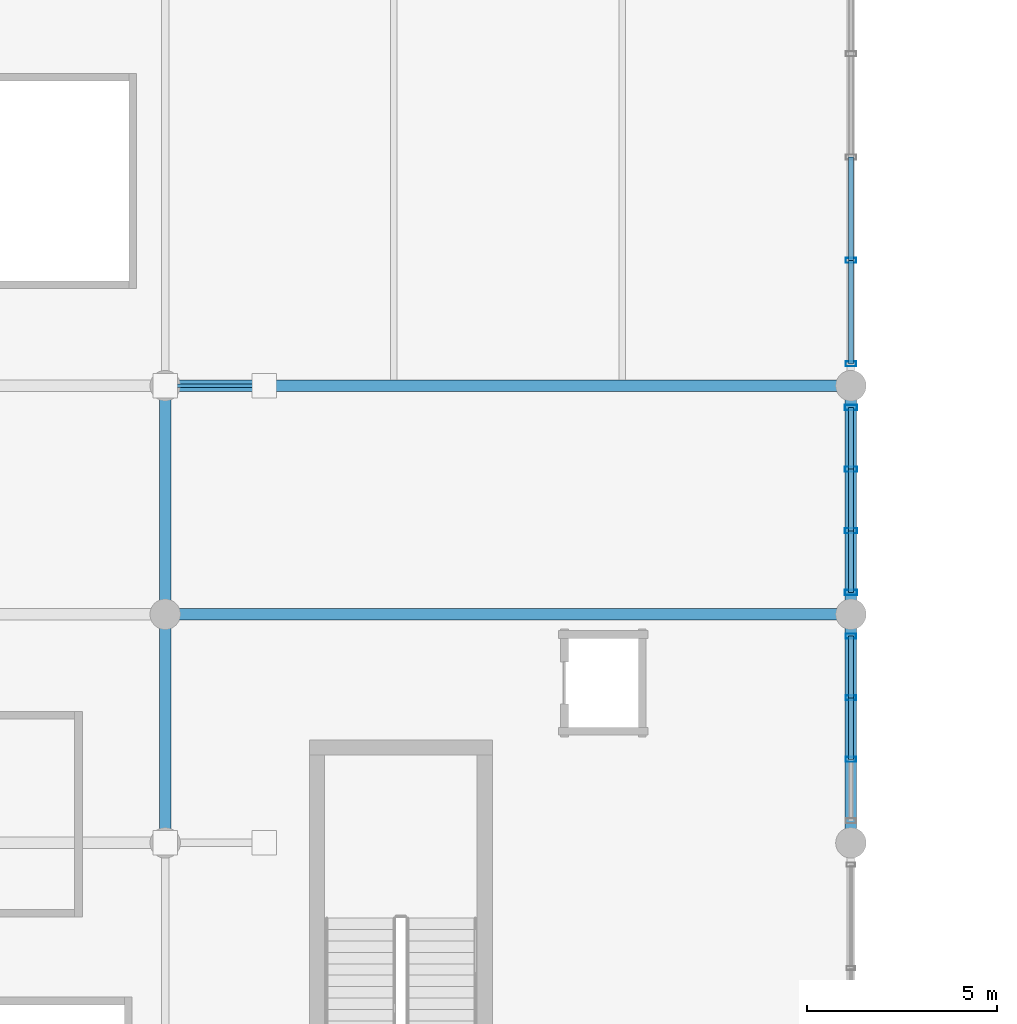
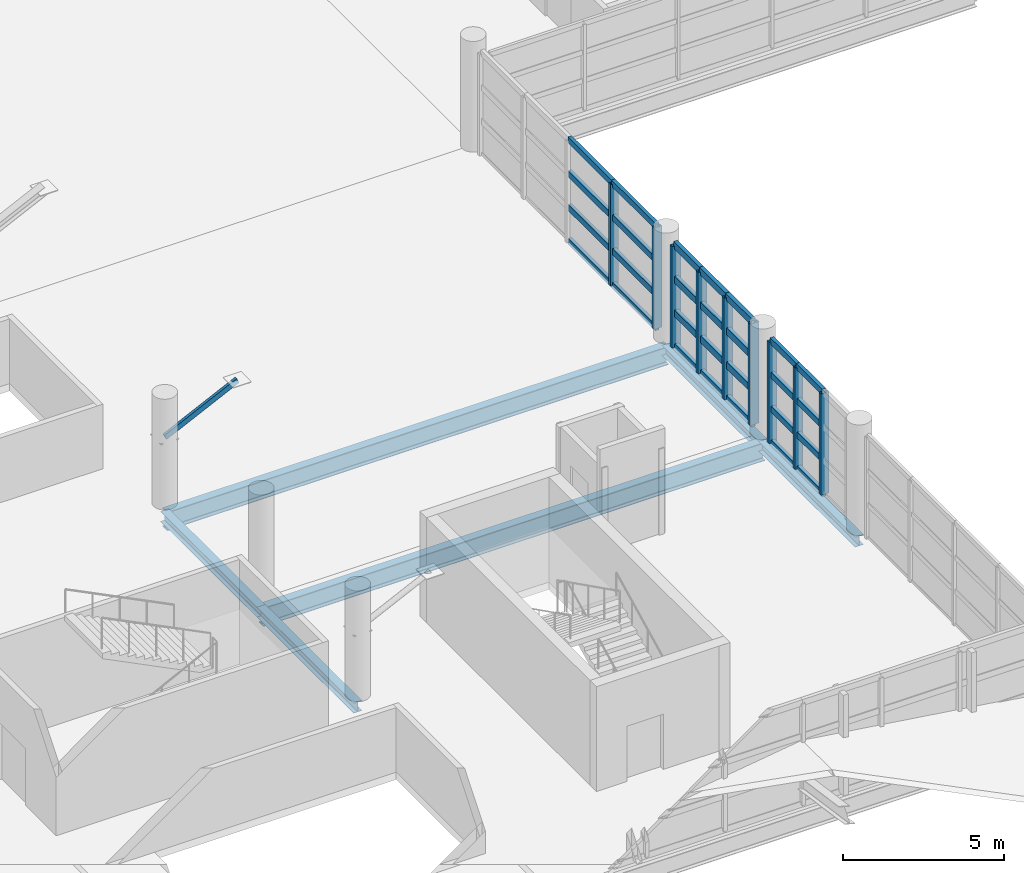
# One storey, part 19 of 136: 38 members, 6 beams, 3 elements without a shape of their own.
"""IFC4 building model written with IfcOpenShell, lengths in metres."""

from ifc_helpers import new_model, si_unit, direction, frame, origin, origin_2d, place, context, subcontext, project, spatial, hollow_rectangle, i_section, extrude, material, material_profile, profile_set, type_object, element, aggregate, save


model = new_model("IFC4")

# Units and contexts
model_context = context("Model", 3, precision=1e-05, world=origin(), true_north=direction((0.0, 1.0)))
body_context = subcontext(model_context, "Body", "Model", "MODEL_VIEW")
ifc_project = project(units=[si_unit("LENGTHUNIT", "METRE"), si_unit("AREAUNIT", "SQUARE_METRE"), si_unit("VOLUMEUNIT", "CUBIC_METRE"), si_unit("PLANEANGLEUNIT", "RADIAN"), si_unit("MASSUNIT", "GRAM", prefix="KILO")], contexts=[model_context])

# Site, building, storey
site_placement = place(None, origin())
site = spatial("IfcSite", under=ifc_project, at=site_placement, CompositionType="ELEMENT")
building_placement = place(site_placement, origin())
building = spatial("IfcBuilding", under=site, at=building_placement, Name="Chuanluo Vaults Station", CompositionType="ELEMENT")
storey_placement = place(building_placement, frame((0.0, 0.0, 6.60009765625)))
storey = spatial("IfcBuildingStorey", under=building, at=storey_placement, Name="L01", CompositionType="ELEMENT", Elevation=6.60009765625)

# Beams
ifc_material_1 = material(Name="Steel Q355C", Category="steel")
ifc_material_profile_1 = material_profile(ifc_material_1, i_section(OverallWidth=0.300048828125, OverallDepth=0.389892578125, WebThickness=0.010009765625, FlangeThickness=0.01611328125, FilletRadius=0.02001953125, at=origin_2d()))
ifc_profile_set_1 = profile_set([ifc_material_profile_1], Name="Steel Q355C")
beam_type_1 = type_object("IfcBeamType", Name="BM-GRD-400", PredefinedType="BEAM", material=ifc_profile_set_1)
for number, where, z_axis, x_axis, name in (
    (1, (72.0, 30.0, -0.47509765625), (0.0, 1.0, 0.0), (-1.0, 0.0, 0.0), "Floor girder BM:GY:L01:0434"),
    (2, (72.0, 36.0, -0.47509765625), (0.0, 1.0, 0.0), (-1.0, 0.0, 0.0), "Floor girder BM:GY:L01:0435"),
    (3, (90.0, 30.0, -0.47509765625), (0.0, 1.0, 0.0), (-1.0, 0.0, 0.0), "Floor girder BM:GY:L01:0441"),
    (4, (90.0, 36.0, -0.47509765625), (0.0, 1.0, 0.0), (-1.0, 0.0, 0.0), "Floor girder BM:GY:L01:0442"),
):
    element("IfcBeam", number, at=place(storey_placement, frame(where, z_axis=z_axis, x_axis=x_axis)), inside=storey, type_object=beam_type_1, Name=name, PredefinedType="BEAM", context=body_context, shape_type="SweptSolid", body=[
        extrude(i_section(OverallWidth=0.300048828125, OverallDepth=0.389892578125, WebThickness=0.010009765625, FlangeThickness=0.01611328125, FilletRadius=0.02001953125, at=origin_2d()), origin(), (0.0, 0.0, 1.0), 6.0),
    ])
ifc_material_2 = material(Name="Steel Q355C", Category="steel")
ifc_material_profile_2 = material_profile(ifc_material_2, i_section(OverallWidth=0.300048828125, OverallDepth=0.699951171875, WebThickness=0.012939453125, FlangeThickness=0.02392578125, FilletRadius=0.02197265625, at=origin_2d()))
ifc_profile_set_2 = profile_set([ifc_material_profile_2], Name="Steel Q355C")
beam_type_2 = type_object("IfcBeamType", Name="BM-GRD-700", PredefinedType="USERDEFINED", material=ifc_profile_set_2)
for number, where, z_axis, x_axis, name in (
    (5, (72.0, 36.0, -0.630126953125), (1.0, 0.0, 0.0), (0.0, 1.0, 0.0), "Floor girder BM:GX:L01:0313"),
    (6, (72.0, 42.0, -0.630126953125), (1.0, 0.0, 0.0), (0.0, 1.0, 0.0), "Floor girder BM:GX:L01:0316"),
):
    element("IfcBeam", number, at=place(storey_placement, frame(where, z_axis=z_axis, x_axis=x_axis)), inside=storey, type_object=beam_type_2, Name=name, ObjectType="GIRDER", PredefinedType="USERDEFINED", context=body_context, shape_type="SweptSolid", body=[
        extrude(i_section(OverallWidth=0.300048828125, OverallDepth=0.699951171875, WebThickness=0.012939453125, FlangeThickness=0.02392578125, FilletRadius=0.02197265625, at=origin_2d()), origin(), (0.0, 0.0, 1.0), 18.0),
    ])

# Curtain wall, members
ifc_material_3 = material(Name="Anodised aluminium 6063-T6", Category="aluminium")
curtain_wall_type_1 = type_object("IfcCurtainWallType", Name="CW-SYS-06", PredefinedType="NOTDEFINED", material=ifc_material_3)
curtain_wall_1_placement = place(storey_placement, origin())
curtain_wall_1 = element("IfcCurtainWall", 7, at=curtain_wall_1_placement, inside=storey, type_object=curtain_wall_type_1, Name="Concourse east curtain wall 30 part 2", PredefinedType="NOTDEFINED")
ifc_material_4 = material(Name="Anodised aluminium 6063-T6", Category="aluminium")
ifc_material_profile_3 = material_profile(ifc_material_4, hollow_rectangle(XDim=0.1298828125, YDim=0.280029296875, WallThickness=0.007080078125, at=origin_2d()))
ifc_profile_set_3 = profile_set([ifc_material_profile_3], Name="Anodised aluminium 6063-T6")
member_type_1 = type_object("IfcMemberType", Name="CWM-180", PredefinedType="MULLION", material=ifc_profile_set_3)
member_1_placement = place(storey_placement, frame((90.0, 35.425048828125, 0.0), z_axis=(0.0, 0.0, 1.0), x_axis=(0.0, -1.0, 0.0)))
member_1 = element("IfcMember", 8, at=member_1_placement, type_object=member_type_1, Name="Concourse east curtain wall 30 part 2 mullion 1", PredefinedType="MULLION", context=body_context, shape_type="SweptSolid", body=[
    extrude(hollow_rectangle(XDim=0.1298828125, YDim=0.280029296875, WallThickness=0.007080078125, at=origin_2d()), origin(), (0.0, 0.0, 1.0), 3.849853515625),
])
member_2_placement = place(storey_placement, frame((90.0, 33.808349609375, 0.0), z_axis=(0.0, 0.0, 1.0), x_axis=(0.0, -1.0, 0.0)))
member_2 = element("IfcMember", 9, at=member_2_placement, type_object=member_type_1, Name="Concourse east curtain wall 30 part 2 mullion 2", PredefinedType="MULLION", context=body_context, shape_type="SweptSolid", body=[
    extrude(hollow_rectangle(XDim=0.1298828125, YDim=0.280029296875, WallThickness=0.007080078125, at=origin_2d()), origin(), (0.0, 0.0, 1.0), 3.849853515625),
])
member_3_placement = place(storey_placement, frame((90.0, 32.191650390625, 0.0), z_axis=(0.0, 0.0, 1.0), x_axis=(0.0, -1.0, 0.0)))
member_3 = element("IfcMember", 10, at=member_3_placement, type_object=member_type_1, Name="Concourse east curtain wall 30 part 2 mullion 3", PredefinedType="MULLION", context=body_context, shape_type="SweptSolid", body=[
    extrude(hollow_rectangle(XDim=0.1298828125, YDim=0.280029296875, WallThickness=0.007080078125, at=origin_2d()), origin(), (0.0, 0.0, 1.0), 3.849853515625),
])

ifc_material_5 = material(Name="Anodised aluminium 6063-T6", Category="aluminium")
curtain_wall_type_2 = type_object("IfcCurtainWallType", Name="CW-SYS-10", PredefinedType="NOTDEFINED", material=ifc_material_5)
curtain_wall_2_placement = place(storey_placement, origin())
curtain_wall_2 = element("IfcCurtainWall", 11, at=curtain_wall_2_placement, inside=storey, type_object=curtain_wall_type_2, Name="Concourse east curtain wall 42", PredefinedType="NOTDEFINED")
member_4_placement = place(storey_placement, frame((90.0, 45.28759765625, 0.0), z_axis=(0.0, 0.0, 1.0), x_axis=(0.0, -1.0, 0.0)))
member_4 = element("IfcMember", 12, at=member_4_placement, type_object=member_type_1, Name="Concourse east curtain wall 42 mullion 4", PredefinedType="MULLION", context=body_context, shape_type="SweptSolid", body=[
    extrude(hollow_rectangle(XDim=0.1298828125, YDim=0.280029296875, WallThickness=0.007080078125, at=origin_2d()), origin(), (0.0, 0.0, 1.0), 3.849853515625),
])
member_5_placement = place(storey_placement, frame((90.0, 42.574951171875, 0.0), z_axis=(0.0, 0.0, 1.0), x_axis=(0.0, -1.0, 0.0)))
member_5 = element("IfcMember", 13, at=member_5_placement, type_object=member_type_1, Name="Concourse east curtain wall 42 mullion 5", PredefinedType="MULLION", context=body_context, shape_type="SweptSolid", body=[
    extrude(hollow_rectangle(XDim=0.1298828125, YDim=0.280029296875, WallThickness=0.007080078125, at=origin_2d()), origin(), (0.0, 0.0, 1.0), 3.849853515625),
])

ifc_material_6 = material(Name="Anodised aluminium 6063-T6", Category="aluminium")
curtain_wall_type_3 = type_object("IfcCurtainWallType", Name="CW-SYS-05", PredefinedType="NOTDEFINED", material=ifc_material_6)
curtain_wall_3_placement = place(storey_placement, origin())
curtain_wall_3 = element("IfcCurtainWall", 14, at=curtain_wall_3_placement, inside=storey, type_object=curtain_wall_type_3, Name="Concourse east curtain wall 30 part 1", PredefinedType="NOTDEFINED")
ifc_material_7 = material(Name="Anodised aluminium 6063-T6", Category="aluminium")
ifc_material_profile_4 = material_profile(ifc_material_7, hollow_rectangle(XDim=0.139892578125, YDim=0.320068359375, WallThickness=0.008056640625, at=origin_2d()))
ifc_profile_set_4 = profile_set([ifc_material_profile_4], Name="Anodised aluminium 6063-T6")
member_type_2 = type_object("IfcMemberType", Name="CWM-220", PredefinedType="MULLION", material=ifc_profile_set_4)
member_6_placement = place(storey_placement, frame((90.0, 41.425048828125, 0.0), z_axis=(0.0, 0.0, 1.0), x_axis=(0.0, -1.0, 0.0)))
member_6 = element("IfcMember", 15, at=member_6_placement, type_object=member_type_2, Name="Concourse east curtain wall 30 part 1 mullion 1", PredefinedType="MULLION", context=body_context, shape_type="SweptSolid", body=[
    extrude(hollow_rectangle(XDim=0.139892578125, YDim=0.320068359375, WallThickness=0.008056640625, at=origin_2d()), origin(), (0.0, 0.0, 1.0), 3.849853515625),
])
member_7_placement = place(storey_placement, frame((90.0, 39.808349609375, 0.0), z_axis=(0.0, 0.0, 1.0), x_axis=(0.0, -1.0, 0.0)))
member_7 = element("IfcMember", 16, at=member_7_placement, type_object=member_type_2, Name="Concourse east curtain wall 30 part 1 mullion 2", PredefinedType="MULLION", context=body_context, shape_type="SweptSolid", body=[
    extrude(hollow_rectangle(XDim=0.139892578125, YDim=0.320068359375, WallThickness=0.008056640625, at=origin_2d()), origin(), (0.0, 0.0, 1.0), 3.849853515625),
])
member_8_placement = place(storey_placement, frame((90.0, 38.191650390625, 0.0), z_axis=(0.0, 0.0, 1.0), x_axis=(0.0, -1.0, 0.0)))
member_8 = element("IfcMember", 17, at=member_8_placement, type_object=member_type_2, Name="Concourse east curtain wall 30 part 1 mullion 3", PredefinedType="MULLION", context=body_context, shape_type="SweptSolid", body=[
    extrude(hollow_rectangle(XDim=0.139892578125, YDim=0.320068359375, WallThickness=0.008056640625, at=origin_2d()), origin(), (0.0, 0.0, 1.0), 3.849853515625),
])
member_9_placement = place(storey_placement, frame((90.0, 36.574951171875, 0.0), z_axis=(0.0, 0.0, 1.0), x_axis=(0.0, -1.0, 0.0)))
member_9 = element("IfcMember", 18, at=member_9_placement, type_object=member_type_2, Name="Concourse east curtain wall 30 part 1 mullion 4", PredefinedType="MULLION", context=body_context, shape_type="SweptSolid", body=[
    extrude(hollow_rectangle(XDim=0.139892578125, YDim=0.320068359375, WallThickness=0.008056640625, at=origin_2d()), origin(), (0.0, 0.0, 1.0), 3.849853515625),
])

# Member
ifc_material_8 = material(Name="Anodised aluminium 6063-T6", Category="aluminium")
ifc_material_profile_5 = material_profile(ifc_material_8, hollow_rectangle(XDim=0.1298828125, YDim=0.22998046875, WallThickness=0.006103515625, at=origin_2d()))
ifc_profile_set_5 = profile_set([ifc_material_profile_5], Name="Anodised aluminium 6063-T6")
member_type_3 = type_object("IfcMemberType", Name="CWT-150", PredefinedType="USERDEFINED", material=ifc_profile_set_5)
member_10_placement = place(storey_placement, frame((90.0, 35.425048828125, 0.0), z_axis=(0.0, -1.0, 0.0), x_axis=(1.0, 0.0, 0.0)))
member_10 = element("IfcMember", 19, at=member_10_placement, type_object=member_type_3, Name="Concourse east curtain wall 30 part 2 transom 1.1", ObjectType="TRANSOM", PredefinedType="USERDEFINED", context=body_context, shape_type="SweptSolid", body=[
    extrude(hollow_rectangle(XDim=0.1298828125, YDim=0.22998046875, WallThickness=0.006103515625, at=origin_2d()), origin(), (0.0, 0.0, 1.0), 1.61669921875),
])

member_11_placement = place(storey_placement, frame((90.0, 35.425048828125, 1.283203125), z_axis=(0.0, -1.0, 0.0), x_axis=(1.0, 0.0, 0.0)))
member_11 = element("IfcMember", 20, at=member_11_placement, type_object=member_type_3, Name="Concourse east curtain wall 30 part 2 transom 1.2", ObjectType="TRANSOM", PredefinedType="USERDEFINED", context=body_context, shape_type="SweptSolid", body=[
    extrude(hollow_rectangle(XDim=0.1298828125, YDim=0.22998046875, WallThickness=0.006103515625, at=origin_2d()), origin(), (0.0, 0.0, 1.0), 1.61669921875),
])

member_12_placement = place(storey_placement, frame((90.0, 35.425048828125, 2.566650390625), z_axis=(0.0, -1.0, 0.0), x_axis=(1.0, 0.0, 0.0)))
member_12 = element("IfcMember", 21, at=member_12_placement, type_object=member_type_3, Name="Concourse east curtain wall 30 part 2 transom 1.3", ObjectType="TRANSOM", PredefinedType="USERDEFINED", context=body_context, shape_type="SweptSolid", body=[
    extrude(hollow_rectangle(XDim=0.1298828125, YDim=0.22998046875, WallThickness=0.006103515625, at=origin_2d()), origin(), (0.0, 0.0, 1.0), 1.61669921875),
])

member_13_placement = place(storey_placement, frame((90.0, 35.425048828125, 3.849853515625), z_axis=(0.0, -1.0, 0.0), x_axis=(1.0, 0.0, 0.0)))
member_13 = element("IfcMember", 22, at=member_13_placement, type_object=member_type_3, Name="Concourse east curtain wall 30 part 2 transom 1.4", ObjectType="TRANSOM", PredefinedType="USERDEFINED", context=body_context, shape_type="SweptSolid", body=[
    extrude(hollow_rectangle(XDim=0.1298828125, YDim=0.22998046875, WallThickness=0.006103515625, at=origin_2d()), origin(), (0.0, 0.0, 1.0), 1.61669921875),
])

member_14_placement = place(storey_placement, frame((90.0, 33.808349609375, 0.0), z_axis=(0.0, -1.0, 0.0), x_axis=(1.0, 0.0, 0.0)))
member_14 = element("IfcMember", 23, at=member_14_placement, type_object=member_type_3, Name="Concourse east curtain wall 30 part 2 transom 2.1", ObjectType="TRANSOM", PredefinedType="USERDEFINED", context=body_context, shape_type="SweptSolid", body=[
    extrude(hollow_rectangle(XDim=0.1298828125, YDim=0.22998046875, WallThickness=0.006103515625, at=origin_2d()), origin(), (0.0, 0.0, 1.0), 1.61669921875),
])

member_15_placement = place(storey_placement, frame((90.0, 33.808349609375, 1.283203125), z_axis=(0.0, -1.0, 0.0), x_axis=(1.0, 0.0, 0.0)))
member_15 = element("IfcMember", 24, at=member_15_placement, type_object=member_type_3, Name="Concourse east curtain wall 30 part 2 transom 2.2", ObjectType="TRANSOM", PredefinedType="USERDEFINED", context=body_context, shape_type="SweptSolid", body=[
    extrude(hollow_rectangle(XDim=0.1298828125, YDim=0.22998046875, WallThickness=0.006103515625, at=origin_2d()), origin(), (0.0, 0.0, 1.0), 1.61669921875),
])

member_16_placement = place(storey_placement, frame((90.0, 33.808349609375, 2.566650390625), z_axis=(0.0, -1.0, 0.0), x_axis=(1.0, 0.0, 0.0)))
member_16 = element("IfcMember", 25, at=member_16_placement, type_object=member_type_3, Name="Concourse east curtain wall 30 part 2 transom 2.3", ObjectType="TRANSOM", PredefinedType="USERDEFINED", context=body_context, shape_type="SweptSolid", body=[
    extrude(hollow_rectangle(XDim=0.1298828125, YDim=0.22998046875, WallThickness=0.006103515625, at=origin_2d()), origin(), (0.0, 0.0, 1.0), 1.61669921875),
])

member_17_placement = place(storey_placement, frame((90.0, 33.808349609375, 3.849853515625), z_axis=(0.0, -1.0, 0.0), x_axis=(1.0, 0.0, 0.0)))
member_17 = element("IfcMember", 26, at=member_17_placement, type_object=member_type_3, Name="Concourse east curtain wall 30 part 2 transom 2.4", ObjectType="TRANSOM", PredefinedType="USERDEFINED", context=body_context, shape_type="SweptSolid", body=[
    extrude(hollow_rectangle(XDim=0.1298828125, YDim=0.22998046875, WallThickness=0.006103515625, at=origin_2d()), origin(), (0.0, 0.0, 1.0), 1.61669921875),
])

aggregate(curtain_wall_1, [member_1, member_2, member_3, member_10, member_11, member_12, member_13, member_14, member_15, member_16, member_17])

member_18_placement = place(storey_placement, frame((90.0, 48.0, 0.0), z_axis=(0.0, -1.0, 0.0), x_axis=(1.0, 0.0, 0.0)))
member_18 = element("IfcMember", 27, at=member_18_placement, type_object=member_type_3, Name="Concourse east curtain wall 42 transom 3.1", ObjectType="TRANSOM", PredefinedType="USERDEFINED", context=body_context, shape_type="SweptSolid", body=[
    extrude(hollow_rectangle(XDim=0.1298828125, YDim=0.22998046875, WallThickness=0.006103515625, at=origin_2d()), origin(), (0.0, 0.0, 1.0), 2.71240234375),
])

member_19_placement = place(storey_placement, frame((90.0, 48.0, 1.283203125), z_axis=(0.0, -1.0, 0.0), x_axis=(1.0, 0.0, 0.0)))
member_19 = element("IfcMember", 28, at=member_19_placement, type_object=member_type_3, Name="Concourse east curtain wall 42 transom 3.2", ObjectType="TRANSOM", PredefinedType="USERDEFINED", context=body_context, shape_type="SweptSolid", body=[
    extrude(hollow_rectangle(XDim=0.1298828125, YDim=0.22998046875, WallThickness=0.006103515625, at=origin_2d()), origin(), (0.0, 0.0, 1.0), 2.71240234375),
])

member_20_placement = place(storey_placement, frame((90.0, 48.0, 2.566650390625), z_axis=(0.0, -1.0, 0.0), x_axis=(1.0, 0.0, 0.0)))
member_20 = element("IfcMember", 29, at=member_20_placement, type_object=member_type_3, Name="Concourse east curtain wall 42 transom 3.3", ObjectType="TRANSOM", PredefinedType="USERDEFINED", context=body_context, shape_type="SweptSolid", body=[
    extrude(hollow_rectangle(XDim=0.1298828125, YDim=0.22998046875, WallThickness=0.006103515625, at=origin_2d()), origin(), (0.0, 0.0, 1.0), 2.71240234375),
])

member_21_placement = place(storey_placement, frame((90.0, 48.0, 3.849853515625), z_axis=(0.0, -1.0, 0.0), x_axis=(1.0, 0.0, 0.0)))
member_21 = element("IfcMember", 30, at=member_21_placement, type_object=member_type_3, Name="Concourse east curtain wall 42 transom 3.4", ObjectType="TRANSOM", PredefinedType="USERDEFINED", context=body_context, shape_type="SweptSolid", body=[
    extrude(hollow_rectangle(XDim=0.1298828125, YDim=0.22998046875, WallThickness=0.006103515625, at=origin_2d()), origin(), (0.0, 0.0, 1.0), 2.71240234375),
])

member_22_placement = place(storey_placement, frame((90.0, 45.28759765625, 0.0), z_axis=(0.0, -1.0, 0.0), x_axis=(1.0, 0.0, 0.0)))
member_22 = element("IfcMember", 31, at=member_22_placement, type_object=member_type_3, Name="Concourse east curtain wall 42 transom 4.1", ObjectType="TRANSOM", PredefinedType="USERDEFINED", context=body_context, shape_type="SweptSolid", body=[
    extrude(hollow_rectangle(XDim=0.1298828125, YDim=0.22998046875, WallThickness=0.006103515625, at=origin_2d()), origin(), (0.0, 0.0, 1.0), 2.712646484375),
])

member_23_placement = place(storey_placement, frame((90.0, 45.28759765625, 1.283203125), z_axis=(0.0, -1.0, 0.0), x_axis=(1.0, 0.0, 0.0)))
member_23 = element("IfcMember", 32, at=member_23_placement, type_object=member_type_3, Name="Concourse east curtain wall 42 transom 4.2", ObjectType="TRANSOM", PredefinedType="USERDEFINED", context=body_context, shape_type="SweptSolid", body=[
    extrude(hollow_rectangle(XDim=0.1298828125, YDim=0.22998046875, WallThickness=0.006103515625, at=origin_2d()), origin(), (0.0, 0.0, 1.0), 2.712646484375),
])

member_24_placement = place(storey_placement, frame((90.0, 45.28759765625, 2.566650390625), z_axis=(0.0, -1.0, 0.0), x_axis=(1.0, 0.0, 0.0)))
member_24 = element("IfcMember", 33, at=member_24_placement, type_object=member_type_3, Name="Concourse east curtain wall 42 transom 4.3", ObjectType="TRANSOM", PredefinedType="USERDEFINED", context=body_context, shape_type="SweptSolid", body=[
    extrude(hollow_rectangle(XDim=0.1298828125, YDim=0.22998046875, WallThickness=0.006103515625, at=origin_2d()), origin(), (0.0, 0.0, 1.0), 2.712646484375),
])

member_25_placement = place(storey_placement, frame((90.0, 45.28759765625, 3.849853515625), z_axis=(0.0, -1.0, 0.0), x_axis=(1.0, 0.0, 0.0)))
member_25 = element("IfcMember", 34, at=member_25_placement, type_object=member_type_3, Name="Concourse east curtain wall 42 transom 4.4", ObjectType="TRANSOM", PredefinedType="USERDEFINED", context=body_context, shape_type="SweptSolid", body=[
    extrude(hollow_rectangle(XDim=0.1298828125, YDim=0.22998046875, WallThickness=0.006103515625, at=origin_2d()), origin(), (0.0, 0.0, 1.0), 2.712646484375),
])

aggregate(curtain_wall_2, [member_4, member_5, member_18, member_19, member_20, member_21, member_22, member_23, member_24, member_25])

ifc_material_9 = material(Name="Anodised aluminium 6063-T6", Category="aluminium")
ifc_material_profile_6 = material_profile(ifc_material_9, hollow_rectangle(XDim=0.139892578125, YDim=0.260009765625, WallThickness=0.007080078125, at=origin_2d()))
ifc_profile_set_6 = profile_set([ifc_material_profile_6], Name="Anodised aluminium 6063-T6")
member_type_4 = type_object("IfcMemberType", Name="CWT-180", PredefinedType="USERDEFINED", material=ifc_profile_set_6)
member_26_placement = place(storey_placement, frame((90.0, 41.425048828125, 0.0), z_axis=(0.0, -1.0, 0.0), x_axis=(1.0, 0.0, 0.0)))
member_26 = element("IfcMember", 35, at=member_26_placement, type_object=member_type_4, Name="Concourse east curtain wall 30 part 1 transom 1.1", ObjectType="TRANSOM", PredefinedType="USERDEFINED", context=body_context, shape_type="SweptSolid", body=[
    extrude(hollow_rectangle(XDim=0.139892578125, YDim=0.260009765625, WallThickness=0.007080078125, at=origin_2d()), origin(), (0.0, 0.0, 1.0), 1.61669921875),
])

member_27_placement = place(storey_placement, frame((90.0, 41.425048828125, 1.283203125), z_axis=(0.0, -1.0, 0.0), x_axis=(1.0, 0.0, 0.0)))
member_27 = element("IfcMember", 36, at=member_27_placement, type_object=member_type_4, Name="Concourse east curtain wall 30 part 1 transom 1.2", ObjectType="TRANSOM", PredefinedType="USERDEFINED", context=body_context, shape_type="SweptSolid", body=[
    extrude(hollow_rectangle(XDim=0.139892578125, YDim=0.260009765625, WallThickness=0.007080078125, at=origin_2d()), origin(), (0.0, 0.0, 1.0), 1.61669921875),
])

member_28_placement = place(storey_placement, frame((90.0, 41.425048828125, 2.566650390625), z_axis=(0.0, -1.0, 0.0), x_axis=(1.0, 0.0, 0.0)))
member_28 = element("IfcMember", 37, at=member_28_placement, type_object=member_type_4, Name="Concourse east curtain wall 30 part 1 transom 1.3", ObjectType="TRANSOM", PredefinedType="USERDEFINED", context=body_context, shape_type="SweptSolid", body=[
    extrude(hollow_rectangle(XDim=0.139892578125, YDim=0.260009765625, WallThickness=0.007080078125, at=origin_2d()), origin(), (0.0, 0.0, 1.0), 1.61669921875),
])

member_29_placement = place(storey_placement, frame((90.0, 41.425048828125, 3.849853515625), z_axis=(0.0, -1.0, 0.0), x_axis=(1.0, 0.0, 0.0)))
member_29 = element("IfcMember", 38, at=member_29_placement, type_object=member_type_4, Name="Concourse east curtain wall 30 part 1 transom 1.4", ObjectType="TRANSOM", PredefinedType="USERDEFINED", context=body_context, shape_type="SweptSolid", body=[
    extrude(hollow_rectangle(XDim=0.139892578125, YDim=0.260009765625, WallThickness=0.007080078125, at=origin_2d()), origin(), (0.0, 0.0, 1.0), 1.61669921875),
])

member_30_placement = place(storey_placement, frame((90.0, 39.808349609375, 0.0), z_axis=(0.0, -1.0, 0.0), x_axis=(1.0, 0.0, 0.0)))
member_30 = element("IfcMember", 39, at=member_30_placement, type_object=member_type_4, Name="Concourse east curtain wall 30 part 1 transom 2.1", ObjectType="TRANSOM", PredefinedType="USERDEFINED", context=body_context, shape_type="SweptSolid", body=[
    extrude(hollow_rectangle(XDim=0.139892578125, YDim=0.260009765625, WallThickness=0.007080078125, at=origin_2d()), origin(), (0.0, 0.0, 1.0), 1.61669921875),
])

member_31_placement = place(storey_placement, frame((90.0, 39.808349609375, 1.283203125), z_axis=(0.0, -1.0, 0.0), x_axis=(1.0, 0.0, 0.0)))
member_31 = element("IfcMember", 40, at=member_31_placement, type_object=member_type_4, Name="Concourse east curtain wall 30 part 1 transom 2.2", ObjectType="TRANSOM", PredefinedType="USERDEFINED", context=body_context, shape_type="SweptSolid", body=[
    extrude(hollow_rectangle(XDim=0.139892578125, YDim=0.260009765625, WallThickness=0.007080078125, at=origin_2d()), origin(), (0.0, 0.0, 1.0), 1.61669921875),
])

member_32_placement = place(storey_placement, frame((90.0, 39.808349609375, 2.566650390625), z_axis=(0.0, -1.0, 0.0), x_axis=(1.0, 0.0, 0.0)))
member_32 = element("IfcMember", 41, at=member_32_placement, type_object=member_type_4, Name="Concourse east curtain wall 30 part 1 transom 2.3", ObjectType="TRANSOM", PredefinedType="USERDEFINED", context=body_context, shape_type="SweptSolid", body=[
    extrude(hollow_rectangle(XDim=0.139892578125, YDim=0.260009765625, WallThickness=0.007080078125, at=origin_2d()), origin(), (0.0, 0.0, 1.0), 1.61669921875),
])

member_33_placement = place(storey_placement, frame((90.0, 39.808349609375, 3.849853515625), z_axis=(0.0, -1.0, 0.0), x_axis=(1.0, 0.0, 0.0)))
member_33 = element("IfcMember", 42, at=member_33_placement, type_object=member_type_4, Name="Concourse east curtain wall 30 part 1 transom 2.4", ObjectType="TRANSOM", PredefinedType="USERDEFINED", context=body_context, shape_type="SweptSolid", body=[
    extrude(hollow_rectangle(XDim=0.139892578125, YDim=0.260009765625, WallThickness=0.007080078125, at=origin_2d()), origin(), (0.0, 0.0, 1.0), 1.61669921875),
])

member_34_placement = place(storey_placement, frame((90.0, 38.191650390625, 0.0), z_axis=(0.0, -1.0, 0.0), x_axis=(1.0, 0.0, 0.0)))
member_34 = element("IfcMember", 43, at=member_34_placement, type_object=member_type_4, Name="Concourse east curtain wall 30 part 1 transom 3.1", ObjectType="TRANSOM", PredefinedType="USERDEFINED", context=body_context, shape_type="SweptSolid", body=[
    extrude(hollow_rectangle(XDim=0.139892578125, YDim=0.260009765625, WallThickness=0.007080078125, at=origin_2d()), origin(), (0.0, 0.0, 1.0), 1.61669921875),
])

member_35_placement = place(storey_placement, frame((90.0, 38.191650390625, 1.283203125), z_axis=(0.0, -1.0, 0.0), x_axis=(1.0, 0.0, 0.0)))
member_35 = element("IfcMember", 44, at=member_35_placement, type_object=member_type_4, Name="Concourse east curtain wall 30 part 1 transom 3.2", ObjectType="TRANSOM", PredefinedType="USERDEFINED", context=body_context, shape_type="SweptSolid", body=[
    extrude(hollow_rectangle(XDim=0.139892578125, YDim=0.260009765625, WallThickness=0.007080078125, at=origin_2d()), origin(), (0.0, 0.0, 1.0), 1.61669921875),
])

member_36_placement = place(storey_placement, frame((90.0, 38.191650390625, 2.566650390625), z_axis=(0.0, -1.0, 0.0), x_axis=(1.0, 0.0, 0.0)))
member_36 = element("IfcMember", 45, at=member_36_placement, type_object=member_type_4, Name="Concourse east curtain wall 30 part 1 transom 3.3", ObjectType="TRANSOM", PredefinedType="USERDEFINED", context=body_context, shape_type="SweptSolid", body=[
    extrude(hollow_rectangle(XDim=0.139892578125, YDim=0.260009765625, WallThickness=0.007080078125, at=origin_2d()), origin(), (0.0, 0.0, 1.0), 1.61669921875),
])

member_37_placement = place(storey_placement, frame((90.0, 38.191650390625, 3.849853515625), z_axis=(0.0, -1.0, 0.0), x_axis=(1.0, 0.0, 0.0)))
member_37 = element("IfcMember", 46, at=member_37_placement, type_object=member_type_4, Name="Concourse east curtain wall 30 part 1 transom 3.4", ObjectType="TRANSOM", PredefinedType="USERDEFINED", context=body_context, shape_type="SweptSolid", body=[
    extrude(hollow_rectangle(XDim=0.139892578125, YDim=0.260009765625, WallThickness=0.007080078125, at=origin_2d()), origin(), (0.0, 0.0, 1.0), 1.61669921875),
])

aggregate(curtain_wall_3, [member_6, member_7, member_8, member_9, member_26, member_27, member_28, member_29, member_30, member_31, member_32, member_33, member_34, member_35, member_36, member_37])

ifc_material_10 = material(Name="Steel Q355C", Category="steel")
ifc_material_profile_7 = material_profile(ifc_material_10, hollow_rectangle(XDim=0.10009765625, YDim=0.199951171875, WallThickness=0.008056640625, at=origin_2d()))
ifc_profile_set_7 = profile_set([ifc_material_profile_7], Name="Steel Q355C")
member_type_5 = type_object("IfcMemberType", Name="MEM-RHS-200", PredefinedType="USERDEFINED", material=ifc_profile_set_7)
member_38_placement = place(storey_placement, frame((72.0, 42.0, 2.5), z_axis=(0.901258779583, 0.0, 0.4332812161), x_axis=(0.0, 1.0, 0.0)))
element("IfcMember", 47, at=member_38_placement, inside=storey, type_object=member_type_5, Name="Concourse gallery knee strut 12", ObjectType="GIRT", PredefinedType="USERDEFINED", context=body_context, shape_type="SweptSolid", body=[
    extrude(hollow_rectangle(XDim=0.10009765625, YDim=0.199951171875, WallThickness=0.008056640625, at=origin_2d()), origin(), (0.0, 0.0, 1.0), 2.885009765625),
])

save(model, "model.ifc")
